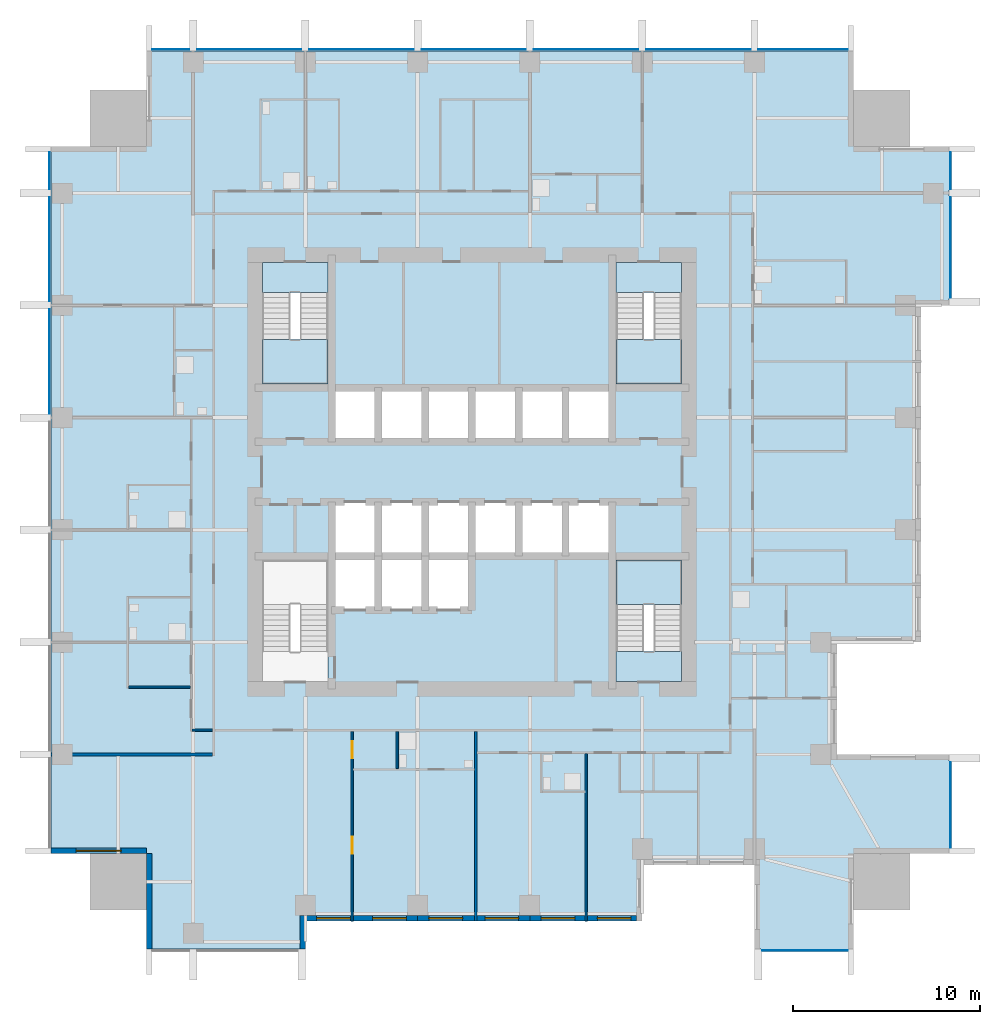
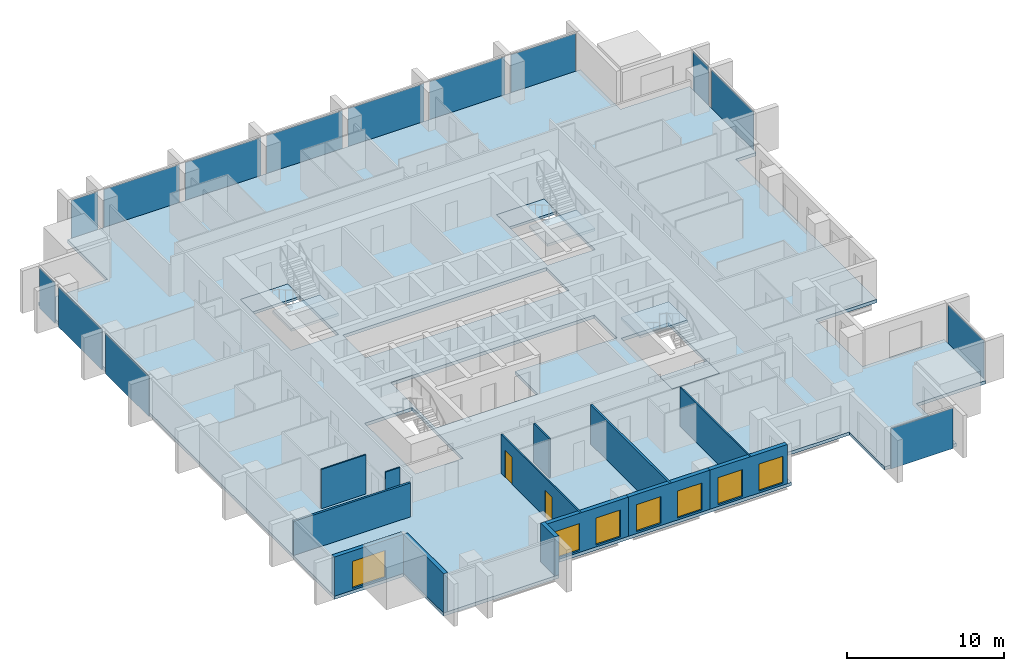
# One storey, part 3 of 10: 14 plates, 13 walls, 7 slabs, 7 windows, 2 doors, 9 openings, 8 elements without a shape of their own.
"""IFC4 building model written with IfcOpenShell, lengths in metres."""

from ifc_helpers import new_model, si_unit, direction, frame, frame_2d, origin, origin_2d, place, context, subcontext, project, spatial, polyline, rectangle, outline, extrude, material, layer, layer_set, type_object, element, fill, aggregate, save


model = new_model("IFC4")

# Units and contexts
model_context = context("Model", 3, precision=1e-05, world=origin(), true_north=direction((0.0, 1.0)))
body_context = subcontext(model_context, "Body", "Model", "MODEL_VIEW")
ifc_project = project(units=[si_unit("LENGTHUNIT", "METRE"), si_unit("AREAUNIT", "SQUARE_METRE"), si_unit("VOLUMEUNIT", "CUBIC_METRE"), si_unit("PLANEANGLEUNIT", "RADIAN"), si_unit("MASSUNIT", "GRAM", prefix="KILO")], contexts=[model_context])

# Site, building, storey
site_placement = place(None, origin())
site = spatial("IfcSite", under=ifc_project, at=site_placement, CompositionType="ELEMENT")
building_placement = place(site_placement, origin())
building = spatial("IfcBuilding", under=site, at=building_placement, Name="Amberfall Residences", CompositionType="ELEMENT")
storey_placement = place(building_placement, frame((0.0, 0.0, 82.0)))
storey = spatial("IfcBuildingStorey", under=building, at=storey_placement, Name="L21", CompositionType="ELEMENT", Elevation=82.0)

# Curtain wall, plate
ifc_material_1 = material(Name="Bronze anodised aluminium and glass", Category="aluminium")
curtain_wall_type = type_object("IfcCurtainWallType", Name="Curtain wall CW1 tower unit", PredefinedType="USERDEFINED", material=ifc_material_1)
curtain_wall_1_placement = place(storey_placement, origin())
curtain_wall_1 = element("IfcCurtainWall", 1, at=curtain_wall_1_placement, inside=storey, type_object=curtain_wall_type, Name="Curtain wall L21 S S9", ObjectType="UNITISED CURTAIN WALL", PredefinedType="USERDEFINED")
ifc_material_2 = material(Name="Tinted double glazed unit", Category="glass")
ifc_layer_1 = layer(ifc_material_2, 0.035888671875)
ifc_layer_set_1 = layer_set([ifc_layer_1], Name="CW1 panel 36 glazing")
plate_type = type_object("IfcPlateType", Name="CW1 panel 36 glazing", PredefinedType="CURTAIN_PANEL", material=ifc_layer_set_1)
plate_1_placement = place(storey_placement, frame((92.300048828125, 19.925048828125, -0.25), z_axis=(0.0, 0.0, 1.0), x_axis=(1.0, 0.0, 0.0)))
plate_1 = element("IfcPlate", 2, at=plate_1_placement, type_object=plate_type, Name="CW1 panel 1.1", PredefinedType="CURTAIN_PANEL", context=body_context, shape_type="SweptSolid", body=[
    extrude(rectangle(XDim=4.575927734375, YDim=0.035888671875, at=origin_2d()), origin(), (0.0, 0.0, 1.0), 3.14990234375),
])
aggregate(curtain_wall_1, [plate_1])

curtain_wall_2_placement = place(storey_placement, origin())
curtain_wall_2 = element("IfcCurtainWall", 3, at=curtain_wall_2_placement, inside=storey, type_object=curtain_wall_type, Name="Curtain wall L21 E E1", ObjectType="UNITISED CURTAIN WALL", PredefinedType="USERDEFINED")
plate_2_placement = place(storey_placement, frame((100.074951171875, 27.699951171875, -0.25), z_axis=(0.0, 0.0, 1.0), x_axis=(0.0, 1.0, 0.0)))
plate_2 = element("IfcPlate", 4, at=plate_2_placement, type_object=plate_type, Name="CW1 panel 1.1", PredefinedType="CURTAIN_PANEL", context=body_context, shape_type="SweptSolid", body=[
    extrude(rectangle(XDim=4.575927734375, YDim=0.035888671875, at=origin_2d()), origin(), (0.0, 0.0, 1.0), 3.14990234375),
])
aggregate(curtain_wall_2, [plate_2])

# Curtain wall, plates
curtain_wall_3_placement = place(storey_placement, origin())
curtain_wall_3 = element("IfcCurtainWall", 5, at=curtain_wall_3_placement, inside=storey, type_object=curtain_wall_type, Name="Curtain wall L21 E E9", ObjectType="UNITISED CURTAIN WALL", PredefinedType="USERDEFINED")
plate_3_placement = place(storey_placement, frame((100.074951171875, 57.5, -0.25), z_axis=(0.0, 0.0, 1.0), x_axis=(0.0, 1.0, 0.0)))
plate_3 = element("IfcPlate", 6, at=plate_3_placement, type_object=plate_type, Name="CW1 panel 1.1", PredefinedType="CURTAIN_PANEL", context=body_context, shape_type="SweptSolid", body=[
    extrude(rectangle(XDim=5.3759765625, YDim=0.035888671875, at=origin_2d()), origin(), (0.0, 0.0, 1.0), 3.14990234375),
])
plate_4_placement = place(storey_placement, frame((100.074951171875, 61.60009765625, -0.25), z_axis=(0.0, 0.0, 1.0), x_axis=(0.0, 1.0, 0.0)))
plate_4 = element("IfcPlate", 7, at=plate_4_placement, type_object=plate_type, Name="CW1 panel 2.1", PredefinedType="CURTAIN_PANEL", context=body_context, shape_type="SweptSolid", body=[
    extrude(rectangle(XDim=1.97607421875, YDim=0.035888671875, at=origin_2d()), origin(), (0.0, 0.0, 1.0), 3.14990234375),
])
aggregate(curtain_wall_3, [plate_3, plate_4])

curtain_wall_4_placement = place(storey_placement, origin())
curtain_wall_4 = element("IfcCurtainWall", 8, at=curtain_wall_4_placement, inside=storey, type_object=curtain_wall_type, Name="Curtain wall L21 N N1", ObjectType="UNITISED CURTAIN WALL", PredefinedType="USERDEFINED")
plate_5_placement = place(storey_placement, frame((92.199951171875, 68.074951171875, -0.25), z_axis=(0.0, 0.0, 1.0), x_axis=(-1.0, 0.0, 0.0)))
plate_5 = element("IfcPlate", 9, at=plate_5_placement, type_object=plate_type, Name="CW1 panel 1.1", PredefinedType="CURTAIN_PANEL", context=body_context, shape_type="SweptSolid", body=[
    extrude(rectangle(XDim=4.77587890625, YDim=0.035888671875, at=origin_2d()), origin(), (0.0, 0.0, 1.0), 3.14990234375),
])
plate_6_placement = place(storey_placement, frame((86.60009765625, 68.074951171875, -0.25), z_axis=(0.0, 0.0, 1.0), x_axis=(-1.0, 0.0, 0.0)))
plate_6 = element("IfcPlate", 10, at=plate_6_placement, type_object=plate_type, Name="CW1 panel 2.1", PredefinedType="CURTAIN_PANEL", context=body_context, shape_type="SweptSolid", body=[
    extrude(rectangle(XDim=5.575927734375, YDim=0.035888671875, at=origin_2d()), origin(), (0.0, 0.0, 1.0), 3.14990234375),
])
plate_7_placement = place(storey_placement, frame((80.60009765625, 68.074951171875, -0.25), z_axis=(0.0, 0.0, 1.0), x_axis=(-1.0, 0.0, 0.0)))
plate_7 = element("IfcPlate", 11, at=plate_7_placement, type_object=plate_type, Name="CW1 panel 3.1", PredefinedType="CURTAIN_PANEL", context=body_context, shape_type="SweptSolid", body=[
    extrude(rectangle(XDim=5.575927734375, YDim=0.035888671875, at=origin_2d()), origin(), (0.0, 0.0, 1.0), 3.14990234375),
])
plate_8_placement = place(storey_placement, frame((74.60009765625, 68.074951171875, -0.25), z_axis=(0.0, 0.0, 1.0), x_axis=(-1.0, 0.0, 0.0)))
plate_8 = element("IfcPlate", 12, at=plate_8_placement, type_object=plate_type, Name="CW1 panel 4.1", PredefinedType="CURTAIN_PANEL", context=body_context, shape_type="SweptSolid", body=[
    extrude(rectangle(XDim=5.575927734375, YDim=0.035888671875, at=origin_2d()), origin(), (0.0, 0.0, 1.0), 3.14990234375),
])
plate_9_placement = place(storey_placement, frame((68.60009765625, 68.074951171875, -0.25), z_axis=(0.0, 0.0, 1.0), x_axis=(-1.0, 0.0, 0.0)))
plate_9 = element("IfcPlate", 13, at=plate_9_placement, type_object=plate_type, Name="CW1 panel 5.1", PredefinedType="CURTAIN_PANEL", context=body_context, shape_type="SweptSolid", body=[
    extrude(rectangle(XDim=5.575927734375, YDim=0.035888671875, at=origin_2d()), origin(), (0.0, 0.0, 1.0), 3.14990234375),
])
plate_10_placement = place(storey_placement, frame((62.60009765625, 68.074951171875, -0.25), z_axis=(0.0, 0.0, 1.0), x_axis=(-1.0, 0.0, 0.0)))
plate_10 = element("IfcPlate", 14, at=plate_10_placement, type_object=plate_type, Name="CW1 panel 6.1", PredefinedType="CURTAIN_PANEL", context=body_context, shape_type="SweptSolid", body=[
    extrude(rectangle(XDim=5.575927734375, YDim=0.035888671875, at=origin_2d()), origin(), (0.0, 0.0, 1.0), 3.14990234375),
])
plate_11_placement = place(storey_placement, frame((58.39990234375, 68.074951171875, -0.25), z_axis=(0.0, 0.0, 1.0), x_axis=(-1.0, 0.0, 0.0)))
plate_11 = element("IfcPlate", 15, at=plate_11_placement, type_object=plate_type, Name="CW1 panel 7.1", PredefinedType="CURTAIN_PANEL", context=body_context, shape_type="SweptSolid", body=[
    extrude(rectangle(XDim=1.97607421875, YDim=0.035888671875, at=origin_2d()), origin(), (0.0, 0.0, 1.0), 3.14990234375),
])
aggregate(curtain_wall_4, [plate_5, plate_6, plate_7, plate_8, plate_9, plate_10, plate_11])

curtain_wall_5_placement = place(storey_placement, origin())
curtain_wall_5 = element("IfcCurtainWall", 16, at=curtain_wall_5_placement, inside=storey, type_object=curtain_wall_type, Name="Curtain wall L21 W W1", ObjectType="UNITISED CURTAIN WALL", PredefinedType="USERDEFINED")
plate_12_placement = place(storey_placement, frame((51.925048828125, 61.60009765625, -0.25), z_axis=(0.0, 0.0, 1.0), x_axis=(0.0, -1.0, 0.0)))
plate_12 = element("IfcPlate", 17, at=plate_12_placement, type_object=plate_type, Name="CW1 panel 1.1", PredefinedType="CURTAIN_PANEL", context=body_context, shape_type="SweptSolid", body=[
    extrude(rectangle(XDim=1.97607421875, YDim=0.035888671875, at=origin_2d()), origin(), (0.0, 0.0, 1.0), 3.14990234375),
])
plate_13_placement = place(storey_placement, frame((51.925048828125, 57.39990234375, -0.25), z_axis=(0.0, 0.0, 1.0), x_axis=(0.0, -1.0, 0.0)))
plate_13 = element("IfcPlate", 18, at=plate_13_placement, type_object=plate_type, Name="CW1 panel 2.1", PredefinedType="CURTAIN_PANEL", context=body_context, shape_type="SweptSolid", body=[
    extrude(rectangle(XDim=5.575927734375, YDim=0.035888671875, at=origin_2d()), origin(), (0.0, 0.0, 1.0), 3.14990234375),
])
plate_14_placement = place(storey_placement, frame((51.925048828125, 51.39990234375, -0.25), z_axis=(0.0, 0.0, 1.0), x_axis=(0.0, -1.0, 0.0)))
plate_14 = element("IfcPlate", 19, at=plate_14_placement, type_object=plate_type, Name="CW1 panel 3.1", PredefinedType="CURTAIN_PANEL", context=body_context, shape_type="SweptSolid", body=[
    extrude(rectangle(XDim=5.575927734375, YDim=0.035888671875, at=origin_2d()), origin(), (0.0, 0.0, 1.0), 3.14990234375),
])
aggregate(curtain_wall_5, [plate_12, plate_13, plate_14])

# Slab
ifc_material_3 = material(Name="Concrete C70", Category="concrete")
ifc_layer_2 = layer(ifc_material_3, 0.25)
ifc_layer_set_2 = layer_set([ifc_layer_2], Name="Floor slab 250 C70")
slab_type_1 = type_object("IfcSlabType", Name="Floor slab 250 C70", PredefinedType="FLOOR", material=ifc_layer_set_2)
slab_1_placement = place(storey_placement, frame((0.0, 0.0, -0.25)))
element("IfcSlab", 20, at=slab_1_placement, inside=storey, type_object=slab_type_1, Name="Floor slab S7 L21", PredefinedType="FLOOR", context=body_context, shape_type="SweptSolid", body=[
    extrude(outline(polyline([(89.60009765625, 20.0), (89.60009765625, 24.5), (83.60009765625, 24.5), (83.60009765625, 21.5), (77.60009765625, 21.5), (71.60009765625, 21.5), (65.60009765625, 21.5), (65.60009765625, 20.0), (57.10009765625, 20.0), (57.10009765625, 25.10009765625), (52.0, 25.10009765625), (52.0, 62.89990234375), (57.10009765625, 62.89990234375), (57.10009765625, 68.0), (94.89990234375, 68.0), (94.89990234375, 62.89990234375), (100.0, 62.89990234375), (100.0, 54.39990234375), (98.5, 54.39990234375), (98.5, 48.39990234375), (98.5, 42.39990234375), (98.5, 36.39990234375), (94.0, 36.39990234375), (94.0, 30.39990234375), (100.0, 30.39990234375), (100.0, 25.10009765625), (94.89990234375, 25.10009765625), (94.89990234375, 20.0), (89.60009765625, 20.0)]), holes=[polyline([(85.699951171875, 34.300048828125), (85.699951171875, 40.800048828125), (82.199951171875, 40.800048828125), (82.199951171875, 34.300048828125), (85.699951171875, 34.300048828125)]), polyline([(82.199951171875, 50.199951171875), (85.699951171875, 50.199951171875), (85.699951171875, 56.699951171875), (82.199951171875, 56.699951171875), (82.199951171875, 50.199951171875)]), polyline([(69.5, 50.0), (67.0, 50.0), (67.0, 47.10009765625), (69.5, 47.10009765625), (72.0, 47.10009765625), (74.5, 47.10009765625), (77.0, 47.10009765625), (79.5, 47.10009765625), (82.0, 47.10009765625), (82.0, 50.0), (79.5, 50.0), (77.0, 50.0), (74.5, 50.0), (72.0, 50.0), (69.5, 50.0)]), polyline([(74.5, 41.0), (77.0, 41.0), (79.5, 41.0), (82.0, 41.0), (82.0, 43.89990234375), (79.5, 43.89990234375), (77.0, 43.89990234375), (74.5, 43.89990234375), (72.0, 43.89990234375), (69.5, 43.89990234375), (67.0, 43.89990234375), (67.0, 41.0), (67.0, 38.10009765625), (69.5, 38.10009765625), (72.0, 38.10009765625), (74.5, 38.10009765625), (74.5, 41.0)]), polyline([(66.800048828125, 34.300048828125), (66.800048828125, 40.800048828125), (63.300048828125, 40.800048828125), (63.300048828125, 34.300048828125), (66.800048828125, 34.300048828125)]), polyline([(66.800048828125, 50.199951171875), (66.800048828125, 56.699951171875), (63.300048828125, 56.699951171875), (63.300048828125, 50.199951171875), (66.800048828125, 50.199951171875)])]), origin(), (0.0, 0.0, 1.0), 0.25),
])

# Stair, slabs
ifc_material_4 = material(Name="Concrete C40", Category="concrete")
stair_type = type_object("IfcStairType", Name="Exit stair 20 risers 165.0 mm", PredefinedType="HALF_TURN_STAIR", material=ifc_material_4)
stair_1_placement = place(storey_placement, origin())
stair_1 = element("IfcStair", 21, at=stair_1_placement, inside=storey, type_object=stair_type, Name="L21 Exit stair 2", PredefinedType="HALF_TURN_STAIR")
ifc_layer_3 = layer(ifc_material_4, 0.199951171875)
ifc_layer_set_3 = layer_set([ifc_layer_3], Name="Stair landing 200")
slab_type_2 = type_object("IfcSlabType", Name="Stair landing 200", PredefinedType="LANDING", material=ifc_layer_set_3)
slab_2_placement = place(storey_placement, frame((0.0, 0.0, 1.449951171875)))
slab_2 = element("IfcSlab", 22, at=slab_2_placement, type_object=slab_type_2, Name="ST3 landing 1", PredefinedType="LANDING", context=body_context, shape_type="SweptSolid", body=[
    extrude(outline(polyline([(85.699951171875, 38.419921875), (85.699951171875, 40.800048828125), (82.199951171875, 40.800048828125), (82.199951171875, 38.419921875), (85.699951171875, 38.419921875)])), origin(), (0.0, 0.0, 1.0), 0.199951171875),
])
slab_3_placement = place(storey_placement, frame((0.0, 0.0, -0.199951171875)))
slab_3 = element("IfcSlab", 23, at=slab_3_placement, type_object=slab_type_2, Name="ST3 landing 2", PredefinedType="LANDING", context=body_context, shape_type="SweptSolid", body=[
    extrude(outline(polyline([(85.699951171875, 34.300048828125), (85.699951171875, 35.89990234375), (82.199951171875, 35.89990234375), (82.199951171875, 34.300048828125), (85.699951171875, 34.300048828125)])), origin(), (0.0, 0.0, 1.0), 0.199951171875),
])
aggregate(stair_1, [slab_2, slab_3])

stair_2_placement = place(storey_placement, origin())
stair_2 = element("IfcStair", 24, at=stair_2_placement, inside=storey, type_object=stair_type, Name="L21 Exit stair 3", PredefinedType="HALF_TURN_STAIR")
slab_4_placement = place(storey_placement, frame((0.0, 0.0, 1.449951171875)))
slab_4 = element("IfcSlab", 25, at=slab_4_placement, type_object=slab_type_2, Name="ST3 landing 1", PredefinedType="LANDING", context=body_context, shape_type="SweptSolid", body=[
    extrude(outline(polyline([(82.199951171875, 52.580078125), (82.199951171875, 50.199951171875), (85.699951171875, 50.199951171875), (85.699951171875, 52.580078125), (82.199951171875, 52.580078125)])), origin(), (0.0, 0.0, 1.0), 0.199951171875),
])
slab_5_placement = place(storey_placement, frame((0.0, 0.0, -0.199951171875)))
slab_5 = element("IfcSlab", 26, at=slab_5_placement, type_object=slab_type_2, Name="ST3 landing 2", PredefinedType="LANDING", context=body_context, shape_type="SweptSolid", body=[
    extrude(outline(polyline([(82.199951171875, 56.699951171875), (82.199951171875, 55.10009765625), (85.699951171875, 55.10009765625), (85.699951171875, 56.699951171875), (82.199951171875, 56.699951171875)])), origin(), (0.0, 0.0, 1.0), 0.199951171875),
])
aggregate(stair_2, [slab_4, slab_5])

stair_3_placement = place(storey_placement, origin())
stair_3 = element("IfcStair", 27, at=stair_3_placement, inside=storey, type_object=stair_type, Name="L21 Exit stair 4", PredefinedType="HALF_TURN_STAIR")
slab_6_placement = place(storey_placement, frame((0.0, 0.0, 1.449951171875)))
slab_6 = element("IfcSlab", 28, at=slab_6_placement, type_object=slab_type_2, Name="ST3 landing 1", PredefinedType="LANDING", context=body_context, shape_type="SweptSolid", body=[
    extrude(outline(polyline([(63.300048828125, 52.580078125), (63.300048828125, 50.199951171875), (66.800048828125, 50.199951171875), (66.800048828125, 52.580078125), (63.300048828125, 52.580078125)])), origin(), (0.0, 0.0, 1.0), 0.199951171875),
])
slab_7_placement = place(storey_placement, frame((0.0, 0.0, -0.199951171875)))
slab_7 = element("IfcSlab", 29, at=slab_7_placement, type_object=slab_type_2, Name="ST3 landing 2", PredefinedType="LANDING", context=body_context, shape_type="SweptSolid", body=[
    extrude(outline(polyline([(63.300048828125, 56.699951171875), (63.300048828125, 55.10009765625), (66.800048828125, 55.10009765625), (66.800048828125, 56.699951171875), (63.300048828125, 56.699951171875)])), origin(), (0.0, 0.0, 1.0), 0.199951171875),
])
aggregate(stair_3, [slab_6, slab_7])

# Wall
ifc_material_5 = material(Name="Pale stone cladding on insulated backing", Category="masonry")
ifc_layer_4 = layer(ifc_material_5, 0.300048828125)
ifc_layer_set_4 = layer_set([ifc_layer_4], Name="Bronze clad wall 300")
wall_type_1 = type_object("IfcWallType", Name="Bronze clad wall 300", PredefinedType="SOLIDWALL", material=ifc_layer_set_4)
wall_1_placement = place(storey_placement, frame((65.449951171875, 20.0, 0.0), z_axis=(0.0, 0.0, 1.0), x_axis=(0.0, 1.0, 0.0)))
element("IfcWall", 30, at=wall_1_placement, inside=storey, type_object=wall_type_1, Name="External wall L21 S", PredefinedType="SOLIDWALL", context=body_context, shape_type="SweptSolid", body=[
    extrude(rectangle(XDim=1.800048828125, YDim=0.300048828125, at=frame_2d((0.89990234375, 0.0))), origin(), (0.0, 0.0, 1.0), 3.050048828125),
])

# Wall, opening, window
wall_2_placement = place(storey_placement, frame((52.0, 25.25, 0.0), z_axis=(0.0, 0.0, 1.0), x_axis=(1.0, 0.0, 0.0)))
wall_2 = element("IfcWall", 31, at=wall_2_placement, inside=storey, type_object=wall_type_1, Name="External wall L21 SW", PredefinedType="SOLIDWALL", context=body_context, shape_type="SweptSolid", body=[
    extrude(rectangle(XDim=5.10009765625, YDim=0.300048828125, at=frame_2d((2.550048828125, 0.0))), origin(), (0.0, 0.0, 1.0), 3.050048828125),
])
opening_1_placement = place(wall_2_placement, frame((1.35009765625, 0.0, 0.14990234375)))
opening_1 = element("IfcOpeningElement", 32, at=opening_1_placement, cuts=wall_2, Name="Opening WN5", PredefinedType="OPENING", context=body_context, shape_type="SweptSolid", body=[
    extrude(rectangle(XDim=2.39990234375, YDim=2.10009765625, at=frame_2d((1.199951171875, 1.050048828125))), frame((0.0, 0.159912109375, 0.0), z_axis=(0.0, -1.0, 0.0), x_axis=(1.0, 0.0, 0.0)), (0.0, 0.0, 1.0), 0.320068359375),
])
ifc_material_6 = material(Name="Bronze aluminium framed glazing", Category="aluminium")
window_type_1 = type_object("IfcWindowType", Name="Glazed opening 2400 x 2100 bronze", PartitioningType="DOUBLE_PANEL_VERTICAL", PredefinedType="WINDOW", material=ifc_material_6)
window_1_placement = place(opening_1_placement, origin())
window_1 = element("IfcWindow", 33, at=window_1_placement, inside=storey, type_object=window_type_1, Name="Window L21 SW", OverallHeight=2.10009765625, OverallWidth=2.39990234375, PartitioningType="DOUBLE_PANEL_VERTICAL", PredefinedType="WINDOW", context=body_context, shape_type="SweptSolid", body=[
    extrude(rectangle(XDim=2.39990234375, YDim=2.10009765625, at=frame_2d((1.199951171875, 1.050048828125))), frame((0.0, 0.030029296875, 0.0), z_axis=(0.0, -1.0, 0.0), x_axis=(1.0, 0.0, 0.0)), (0.0, 0.0, 1.0), 0.06005859375),
])
fill(opening_1, window_1)

# Wall
wall_3_placement = place(storey_placement, frame((57.25, 25.10009765625, 0.0), z_axis=(0.0, 0.0, 1.0), x_axis=(0.0, -1.0, 0.0)))
element("IfcWall", 34, at=wall_3_placement, inside=storey, type_object=wall_type_1, Name="External wall L21 SW", PredefinedType="SOLIDWALL", context=body_context, shape_type="SweptSolid", body=[
    extrude(rectangle(XDim=5.10009765625, YDim=0.300048828125, at=frame_2d((2.550048828125, 0.0))), origin(), (0.0, 0.0, 1.0), 3.050048828125),
])

# Wall, openings, windows
wall_4_placement = place(storey_placement, frame((65.60009765625, 21.64990234375, 0.0), z_axis=(0.0, 0.0, 1.0), x_axis=(1.0, 0.0, 0.0)))
wall_4 = element("IfcWall", 35, at=wall_4_placement, inside=storey, type_object=wall_type_1, Name="Stone wall L21 S", PredefinedType="SOLIDWALL", context=body_context, shape_type="SweptSolid", body=[
    extrude(rectangle(XDim=6.0, YDim=0.300048828125, at=frame_2d((3.0, 0.0))), origin(), (0.0, 0.0, 1.0), 3.050048828125),
])
opening_2_placement = place(wall_4_placement, frame((0.60009765625, 0.0, 0.14990234375)))
opening_2 = element("IfcOpeningElement", 36, at=opening_2_placement, cuts=wall_4, Name="Opening WN6", PredefinedType="OPENING", context=body_context, shape_type="SweptSolid", body=[
    extrude(rectangle(XDim=1.800048828125, YDim=2.10009765625, at=frame_2d((0.89990234375, 1.050048828125))), frame((0.0, 0.159912109375, 0.0), z_axis=(0.0, -1.0, 0.0), x_axis=(1.0, 0.0, 0.0)), (0.0, 0.0, 1.0), 0.320068359375),
])
opening_3_placement = place(wall_4_placement, frame((3.60009765625, 0.0, 0.14990234375)))
opening_3 = element("IfcOpeningElement", 37, at=opening_3_placement, cuts=wall_4, Name="Opening WN6", PredefinedType="OPENING", context=body_context, shape_type="SweptSolid", body=[
    extrude(rectangle(XDim=1.800048828125, YDim=2.10009765625, at=frame_2d((0.89990234375, 1.050048828125))), frame((0.0, 0.159912109375, 0.0), z_axis=(0.0, -1.0, 0.0), x_axis=(1.0, 0.0, 0.0)), (0.0, 0.0, 1.0), 0.320068359375),
])
window_type_2 = type_object("IfcWindowType", Name="Glazed opening 1800 x 2100 bronze", PartitioningType="DOUBLE_PANEL_VERTICAL", PredefinedType="WINDOW", material=ifc_material_6)
window_2_placement = place(opening_2_placement, origin())
window_2 = element("IfcWindow", 38, at=window_2_placement, inside=storey, type_object=window_type_2, Name="Window L21 S", OverallHeight=2.10009765625, OverallWidth=1.800048828125, PartitioningType="DOUBLE_PANEL_VERTICAL", PredefinedType="WINDOW", context=body_context, shape_type="SweptSolid", body=[
    extrude(rectangle(XDim=1.800048828125, YDim=2.10009765625, at=frame_2d((0.89990234375, 1.050048828125))), frame((0.0, 0.030029296875, 0.0), z_axis=(0.0, -1.0, 0.0), x_axis=(1.0, 0.0, 0.0)), (0.0, 0.0, 1.0), 0.06005859375),
])
fill(opening_2, window_2)
window_3_placement = place(opening_3_placement, origin())
window_3 = element("IfcWindow", 39, at=window_3_placement, inside=storey, type_object=window_type_2, Name="Window L21 S", OverallHeight=2.10009765625, OverallWidth=1.800048828125, PartitioningType="DOUBLE_PANEL_VERTICAL", PredefinedType="WINDOW", context=body_context, shape_type="SweptSolid", body=[
    extrude(rectangle(XDim=1.800048828125, YDim=2.10009765625, at=frame_2d((0.89990234375, 1.050048828125))), frame((0.0, 0.030029296875, 0.0), z_axis=(0.0, -1.0, 0.0), x_axis=(1.0, 0.0, 0.0)), (0.0, 0.0, 1.0), 0.06005859375),
])
fill(opening_3, window_3)

wall_5_placement = place(storey_placement, frame((71.60009765625, 21.64990234375, 0.0), z_axis=(0.0, 0.0, 1.0), x_axis=(1.0, 0.0, 0.0)))
wall_5 = element("IfcWall", 40, at=wall_5_placement, inside=storey, type_object=wall_type_1, Name="Stone wall L21 S", PredefinedType="SOLIDWALL", context=body_context, shape_type="SweptSolid", body=[
    extrude(rectangle(XDim=6.0, YDim=0.300048828125, at=frame_2d((3.0, 0.0))), origin(), (0.0, 0.0, 1.0), 3.050048828125),
])
opening_4_placement = place(wall_5_placement, frame((0.60009765625, 0.0, 0.14990234375)))
opening_4 = element("IfcOpeningElement", 41, at=opening_4_placement, cuts=wall_5, Name="Opening WN6", PredefinedType="OPENING", context=body_context, shape_type="SweptSolid", body=[
    extrude(rectangle(XDim=1.800048828125, YDim=2.10009765625, at=frame_2d((0.89990234375, 1.050048828125))), frame((0.0, 0.159912109375, 0.0), z_axis=(0.0, -1.0, 0.0), x_axis=(1.0, 0.0, 0.0)), (0.0, 0.0, 1.0), 0.320068359375),
])
opening_5_placement = place(wall_5_placement, frame((3.60009765625, 0.0, 0.14990234375)))
opening_5 = element("IfcOpeningElement", 42, at=opening_5_placement, cuts=wall_5, Name="Opening WN6", PredefinedType="OPENING", context=body_context, shape_type="SweptSolid", body=[
    extrude(rectangle(XDim=1.800048828125, YDim=2.10009765625, at=frame_2d((0.89990234375, 1.050048828125))), frame((0.0, 0.159912109375, 0.0), z_axis=(0.0, -1.0, 0.0), x_axis=(1.0, 0.0, 0.0)), (0.0, 0.0, 1.0), 0.320068359375),
])
window_4_placement = place(opening_4_placement, origin())
window_4 = element("IfcWindow", 43, at=window_4_placement, inside=storey, type_object=window_type_2, Name="Window L21 S", OverallHeight=2.10009765625, OverallWidth=1.800048828125, PartitioningType="DOUBLE_PANEL_VERTICAL", PredefinedType="WINDOW", context=body_context, shape_type="SweptSolid", body=[
    extrude(rectangle(XDim=1.800048828125, YDim=2.10009765625, at=frame_2d((0.89990234375, 1.050048828125))), frame((0.0, 0.030029296875, 0.0), z_axis=(0.0, -1.0, 0.0), x_axis=(1.0, 0.0, 0.0)), (0.0, 0.0, 1.0), 0.06005859375),
])
fill(opening_4, window_4)
window_5_placement = place(opening_5_placement, origin())
window_5 = element("IfcWindow", 44, at=window_5_placement, inside=storey, type_object=window_type_2, Name="Window L21 S", OverallHeight=2.10009765625, OverallWidth=1.800048828125, PartitioningType="DOUBLE_PANEL_VERTICAL", PredefinedType="WINDOW", context=body_context, shape_type="SweptSolid", body=[
    extrude(rectangle(XDim=1.800048828125, YDim=2.10009765625, at=frame_2d((0.89990234375, 1.050048828125))), frame((0.0, 0.030029296875, 0.0), z_axis=(0.0, -1.0, 0.0), x_axis=(1.0, 0.0, 0.0)), (0.0, 0.0, 1.0), 0.06005859375),
])
fill(opening_5, window_5)

wall_6_placement = place(storey_placement, frame((77.60009765625, 21.64990234375, 0.0), z_axis=(0.0, 0.0, 1.0), x_axis=(1.0, 0.0, 0.0)))
wall_6 = element("IfcWall", 45, at=wall_6_placement, inside=storey, type_object=wall_type_1, Name="Stone wall L21 S", PredefinedType="SOLIDWALL", context=body_context, shape_type="SweptSolid", body=[
    extrude(rectangle(XDim=5.699951171875, YDim=0.300048828125, at=frame_2d((2.85009765625, 0.0))), origin(), (0.0, 0.0, 1.0), 3.050048828125),
])
opening_6_placement = place(wall_6_placement, frame((0.60009765625, 0.0, 0.14990234375)))
opening_6 = element("IfcOpeningElement", 46, at=opening_6_placement, cuts=wall_6, Name="Opening WN6", PredefinedType="OPENING", context=body_context, shape_type="SweptSolid", body=[
    extrude(rectangle(XDim=1.800048828125, YDim=2.10009765625, at=frame_2d((0.89990234375, 1.050048828125))), frame((0.0, 0.159912109375, 0.0), z_axis=(0.0, -1.0, 0.0), x_axis=(1.0, 0.0, 0.0)), (0.0, 0.0, 1.0), 0.320068359375),
])
opening_7_placement = place(wall_6_placement, frame((3.60009765625, 0.0, 0.14990234375)))
opening_7 = element("IfcOpeningElement", 47, at=opening_7_placement, cuts=wall_6, Name="Opening WN6", PredefinedType="OPENING", context=body_context, shape_type="SweptSolid", body=[
    extrude(rectangle(XDim=1.800048828125, YDim=2.10009765625, at=frame_2d((0.89990234375, 1.050048828125))), frame((0.0, 0.159912109375, 0.0), z_axis=(0.0, -1.0, 0.0), x_axis=(1.0, 0.0, 0.0)), (0.0, 0.0, 1.0), 0.320068359375),
])
window_6_placement = place(opening_6_placement, origin())
window_6 = element("IfcWindow", 48, at=window_6_placement, inside=storey, type_object=window_type_2, Name="Window L21 S", OverallHeight=2.10009765625, OverallWidth=1.800048828125, PartitioningType="DOUBLE_PANEL_VERTICAL", PredefinedType="WINDOW", context=body_context, shape_type="SweptSolid", body=[
    extrude(rectangle(XDim=1.800048828125, YDim=2.10009765625, at=frame_2d((0.89990234375, 1.050048828125))), frame((0.0, 0.030029296875, 0.0), z_axis=(0.0, -1.0, 0.0), x_axis=(1.0, 0.0, 0.0)), (0.0, 0.0, 1.0), 0.06005859375),
])
fill(opening_6, window_6)
window_7_placement = place(opening_7_placement, origin())
window_7 = element("IfcWindow", 49, at=window_7_placement, inside=storey, type_object=window_type_2, Name="Window L21 S", OverallHeight=2.10009765625, OverallWidth=1.800048828125, PartitioningType="DOUBLE_PANEL_VERTICAL", PredefinedType="WINDOW", context=body_context, shape_type="SweptSolid", body=[
    extrude(rectangle(XDim=1.800048828125, YDim=2.10009765625, at=frame_2d((0.89990234375, 1.050048828125))), frame((0.0, 0.030029296875, 0.0), z_axis=(0.0, -1.0, 0.0), x_axis=(1.0, 0.0, 0.0)), (0.0, 0.0, 1.0), 0.06005859375),
])
fill(opening_7, window_7)

# Wall, openings, doors
ifc_material_7 = material(Name="Gypsum board on metal stud")
ifc_layer_5 = layer(ifc_material_7, 0.10009765625)
ifc_layer_set_5 = layer_set([ifc_layer_5], Name="Flat partition 100")
wall_type_2 = type_object("IfcWallType", Name="Flat partition 100", PredefinedType="PARTITIONING", material=ifc_layer_set_5)
wall_7_placement = place(storey_placement, frame((68.10009765625, 31.625, 0.0), z_axis=(0.0, 0.0, 1.0), x_axis=(0.0, -1.0, 0.0)))
wall_7 = element("IfcWall", 50, at=wall_7_placement, inside=storey, type_object=wall_type_2, Name="Partition 009", PredefinedType="PARTITIONING", context=body_context, shape_type="SweptSolid", body=[
    extrude(rectangle(XDim=10.125, YDim=0.10009765625, at=frame_2d((5.0625, 0.0))), origin(), (0.0, 0.0, 1.0), 3.050048828125),
])
opening_8_placement = place(wall_7_placement, frame((0.52490234375, 0.0, 0.0)))
opening_8 = element("IfcOpeningElement", 51, at=opening_8_placement, cuts=wall_7, Name="Opening D41", PredefinedType="OPENING", context=body_context, shape_type="SweptSolid", body=[
    extrude(rectangle(XDim=0.89990234375, YDim=2.10009765625, at=frame_2d((0.449951171875, 1.050048828125))), frame((0.0, 0.06005859375, 0.0), z_axis=(0.0, -1.0, 0.0), x_axis=(1.0, 0.0, 0.0)), (0.0, 0.0, 1.0), 0.1201171875),
])
opening_9_placement = place(wall_7_placement, frame((5.625, 0.0, 0.0)))
opening_9 = element("IfcOpeningElement", 52, at=opening_9_placement, cuts=wall_7, Name="Opening D41", PredefinedType="OPENING", context=body_context, shape_type="SweptSolid", body=[
    extrude(rectangle(XDim=0.89990234375, YDim=2.10009765625, at=frame_2d((0.449951171875, 1.050048828125))), frame((0.0, 0.06005859375, 0.0), z_axis=(0.0, -1.0, 0.0), x_axis=(1.0, 0.0, 0.0)), (0.0, 0.0, 1.0), 0.1201171875),
])
ifc_material_8 = material(Name="Timber", Category="wood")
door_type = type_object("IfcDoorType", Name="Internal door 900 x 2100", OperationType="SINGLE_SWING_LEFT", PredefinedType="DOOR", material=ifc_material_8)
door_1_placement = place(opening_8_placement, origin())
door_1 = element("IfcDoor", 53, at=door_1_placement, inside=storey, type_object=door_type, Name="Door 2101 kitchen", OperationType="SINGLE_SWING_LEFT", OverallHeight=2.10009765625, OverallWidth=0.89990234375, PredefinedType="DOOR", context=body_context, shape_type="SweptSolid", body=[
    extrude(rectangle(XDim=0.89990234375, YDim=2.10009765625, at=frame_2d((0.449951171875, 1.050048828125))), frame((0.0, 0.02490234375, 0.0), z_axis=(0.0, -1.0, 0.0), x_axis=(1.0, 0.0, 0.0)), (0.0, 0.0, 1.0), 0.050048828125),
])
fill(opening_8, door_1)
door_2_placement = place(opening_9_placement, origin())
door_2 = element("IfcDoor", 54, at=door_2_placement, inside=storey, type_object=door_type, Name="Door 2101 bedroom1", OperationType="SINGLE_SWING_LEFT", OverallHeight=2.10009765625, OverallWidth=0.89990234375, PredefinedType="DOOR", context=body_context, shape_type="SweptSolid", body=[
    extrude(rectangle(XDim=0.89990234375, YDim=2.10009765625, at=frame_2d((0.449951171875, 1.050048828125))), frame((0.0, 0.02490234375, 0.0), z_axis=(0.0, -1.0, 0.0), x_axis=(1.0, 0.0, 0.0)), (0.0, 0.0, 1.0), 0.050048828125),
])
fill(opening_9, door_2)

# Walls
wall_8_placement = place(storey_placement, frame((70.5, 29.64990234375, 0.0), z_axis=(0.0, 0.0, 1.0), x_axis=(0.0, 1.0, 0.0)))
element("IfcWall", 55, at=wall_8_placement, inside=storey, type_object=wall_type_2, Name="Partition 010", PredefinedType="PARTITIONING", context=body_context, shape_type="SweptSolid", body=[
    extrude(rectangle(XDim=1.97509765625, YDim=0.10009765625, at=frame_2d((0.987548828125, 0.0))), origin(), (0.0, 0.0, 1.0), 3.050048828125),
])
wall_9_placement = place(storey_placement, frame((80.60009765625, 21.5, 0.0), z_axis=(0.0, 0.0, 1.0), x_axis=(0.0, 1.0, 0.0)))
element("IfcWall", 56, at=wall_9_placement, inside=storey, type_object=wall_type_2, Name="Partition 014", PredefinedType="PARTITIONING", context=body_context, shape_type="SweptSolid", body=[
    extrude(rectangle(XDim=8.949951171875, YDim=0.10009765625, at=frame_2d((4.47509765625, 0.0))), origin(), (0.0, 0.0, 1.0), 3.050048828125),
])
wall_10_placement = place(storey_placement, frame((56.14990234375, 34.0, 0.0), z_axis=(0.0, 0.0, 1.0), x_axis=(1.0, 0.0, 0.0)))
element("IfcWall", 57, at=wall_10_placement, inside=storey, type_object=wall_type_2, Name="Partition 044", PredefinedType="PARTITIONING", context=body_context, shape_type="SweptSolid", body=[
    extrude(rectangle(XDim=3.300048828125, YDim=0.10009765625, at=frame_2d((1.64990234375, 0.0))), origin(), (0.0, 0.0, 1.0), 3.050048828125),
])
wall_11_placement = place(storey_placement, frame((59.550048828125, 31.699951171875, 0.0), z_axis=(0.0, 0.0, 1.0), x_axis=(1.0, 0.0, 0.0)))
element("IfcWall", 58, at=wall_11_placement, inside=storey, type_object=wall_type_2, Name="Partition 046", PredefinedType="PARTITIONING", context=body_context, shape_type="SweptSolid", body=[
    extrude(rectangle(XDim=1.074951171875, YDim=0.10009765625, at=frame_2d((0.53759765625, 0.0))), origin(), (0.0, 0.0, 1.0), 3.050048828125),
])
ifc_material_9 = material(Name="Blockwork, plastered", Category="masonry")
ifc_layer_6 = layer(ifc_material_9, 0.14990234375)
ifc_layer_set_6 = layer_set([ifc_layer_6], Name="Flat separating wall 150")
wall_type_3 = type_object("IfcWallType", Name="Flat separating wall 150", PredefinedType="PARTITIONING", material=ifc_layer_set_6)
wall_12_placement = place(storey_placement, frame((74.699951171875, 21.5, 0.0), z_axis=(0.0, 0.0, 1.0), x_axis=(0.0, 1.0, 0.0)))
element("IfcWall", 59, at=wall_12_placement, inside=storey, type_object=wall_type_3, Name="Separating wall 053", PredefinedType="PARTITIONING", context=body_context, shape_type="SweptSolid", body=[
    extrude(rectangle(XDim=10.125, YDim=0.14990234375, at=frame_2d((5.0625, 0.0))), origin(), (0.0, 0.0, 1.0), 3.050048828125),
])
wall_13_placement = place(storey_placement, frame((52.0, 30.39990234375, 0.0), z_axis=(0.0, 0.0, 1.0), x_axis=(1.0, 0.0, 0.0)))
element("IfcWall", 60, at=wall_13_placement, inside=storey, type_object=wall_type_3, Name="Separating wall 062", PredefinedType="PARTITIONING", context=body_context, shape_type="SweptSolid", body=[
    extrude(rectangle(XDim=8.625, YDim=0.14990234375, at=frame_2d((4.3125, 0.0))), origin(), (0.0, 0.0, 1.0), 2.64697265625),
])

save(model, "model.ifc")
